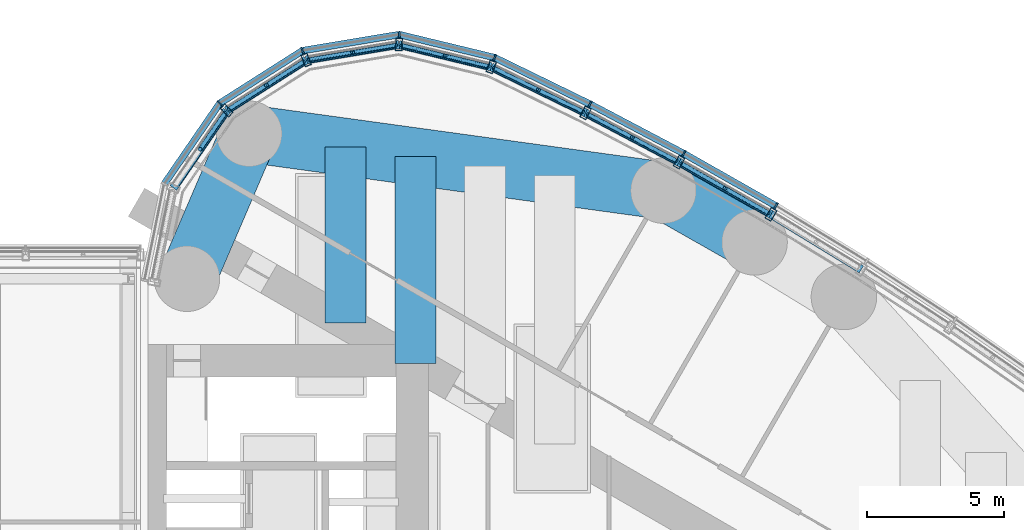
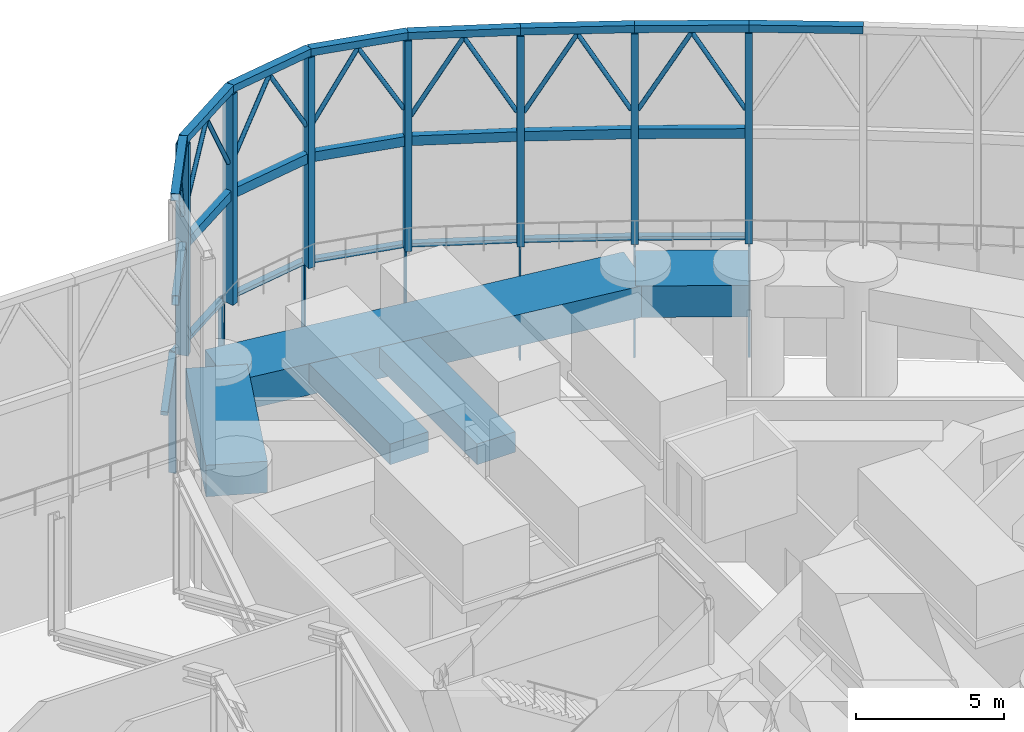
# One storey, part 20 of 33: 49 members, 5 beams, 2 elements without a shape of their own.
"""IFC4 building model written with IfcOpenShell, lengths in metres."""

from ifc_helpers import new_model, si_unit, direction, frame, origin, origin_2d, place, context, subcontext, project, spatial, rectangle, hollow_rectangle, hollow_circle, extrude, material, material_profile, profile_set, type_object, element, aggregate, save


model = new_model("IFC4")

# Units and contexts
model_context = context("Model", 3, precision=1e-05, world=origin(), true_north=direction((0.0, 1.0)))
body_context = subcontext(model_context, "Body", "Model", "MODEL_VIEW")
ifc_project = project(units=[si_unit("LENGTHUNIT", "METRE"), si_unit("AREAUNIT", "SQUARE_METRE"), si_unit("VOLUMEUNIT", "CUBIC_METRE"), si_unit("PLANEANGLEUNIT", "RADIAN"), si_unit("MASSUNIT", "GRAM", prefix="KILO")], contexts=[model_context])

# Site, building, storey
site_placement = place(None, origin())
site = spatial("IfcSite", under=ifc_project, at=site_placement, CompositionType="ELEMENT")
building_placement = place(site_placement, origin())
building = spatial("IfcBuilding", under=site, at=building_placement, Name="Lancet Gate Hotel", CompositionType="ELEMENT")
storey_placement = place(building_placement, frame((0.0, 0.0, 268.300048828125)))
storey = spatial("IfcBuildingStorey", under=building, at=storey_placement, Name="L70", CompositionType="ELEMENT", Elevation=268.300048828125)

# Curtain wall, members
ifc_material_1 = material(Name="Aluminium curtain wall", Category="aluminium")
curtain_wall_type_1 = type_object("IfcCurtainWallType", Name="Lantern crown glazing", PredefinedType="USERDEFINED", material=ifc_material_1)
curtain_wall_1_placement = place(storey_placement, origin())
curtain_wall_1 = element("IfcCurtainWall", 1, at=curtain_wall_1_placement, inside=storey, type_object=curtain_wall_type_1, Name="T2 L70 curtain wall 1", ObjectType="LANTERN GLAZING", PredefinedType="USERDEFINED")
ifc_material_2 = material(Name="Aluminium mullion", Category="aluminium")
ifc_material_profile_1 = material_profile(ifc_material_2, rectangle(XDim=0.06494140625, YDim=0.25, at=origin_2d()), Name="MULLION 65x250")
ifc_profile_set_1 = profile_set([ifc_material_profile_1], Name="Aluminium mullion")
member_type_1 = type_object("IfcMemberType", Name="Aluminium mullion 65x250", PredefinedType="MULLION", material=ifc_profile_set_1)
member_1_placement = place(storey_placement, frame((50.62060546875, 13.667236328125, 0.0), z_axis=(0.0, 0.0, 1.0), x_axis=(-0.861691755738, 0.507432082247, 0.0)))
member_1 = element("IfcMember", 2, at=member_1_placement, type_object=member_type_1, Name="T2 L70 curtain wall 1 mullion 19", PredefinedType="MULLION", context=body_context, shape_type="SweptSolid", body=[
    extrude(rectangle(XDim=0.06494140625, YDim=0.25, at=origin_2d()), origin(), (0.0, 0.0, 1.0), 5.0),
])
member_2_placement = place(storey_placement, frame((47.24365234375, 15.585205078125, 0.0), z_axis=(0.0, 0.0, 1.0), x_axis=(-0.877194589488, 0.480135035352, 0.0)))
member_2 = element("IfcMember", 3, at=member_2_placement, type_object=member_type_1, Name="T2 L70 curtain wall 1 mullion 20", PredefinedType="MULLION", context=body_context, shape_type="SweptSolid", body=[
    extrude(rectangle(XDim=0.06494140625, YDim=0.25, at=origin_2d()), origin(), (0.0, 0.0, 1.0), 5.0),
])
member_3_placement = place(storey_placement, frame((43.80810546875, 17.396240234375, 0.0), z_axis=(0.0, 0.0, 1.0), x_axis=(-0.891832977257, 0.452364831389, 0.0)))
member_3 = element("IfcMember", 4, at=member_3_placement, type_object=member_type_1, Name="T2 L70 curtain wall 1 mullion 21", PredefinedType="MULLION", context=body_context, shape_type="SweptSolid", body=[
    extrude(rectangle(XDim=0.06494140625, YDim=0.25, at=origin_2d()), origin(), (0.0, 0.0, 1.0), 5.0),
])
member_4_placement = place(storey_placement, frame((40.3173828125, 19.098388671875, 0.0), z_axis=(0.0, 0.0, 1.0), x_axis=(-0.939483740419, 0.342593493061, 0.0)))
member_4 = element("IfcMember", 5, at=member_4_placement, type_object=member_type_1, Name="T2 L70 curtain wall 1 mullion 22", PredefinedType="MULLION", context=body_context, shape_type="SweptSolid", body=[
    extrude(rectangle(XDim=0.06494140625, YDim=0.25, at=origin_2d()), origin(), (0.0, 0.0, 1.0), 5.0),
])
member_5_placement = place(storey_placement, frame((36.826171875, 19.942138671875, 0.0), z_axis=(0.0, 0.0, 1.0), x_axis=(-0.999342744911, 0.03625021647, 0.0)))
member_5 = element("IfcMember", 6, at=member_5_placement, type_object=member_type_1, Name="T2 L70 curtain wall 1 mullion 23", PredefinedType="MULLION", context=body_context, shape_type="SweptSolid", body=[
    extrude(rectangle(XDim=0.06494140625, YDim=0.25, at=origin_2d()), origin(), (0.0, 0.0, 1.0), 5.0),
])
member_6_placement = place(storey_placement, frame((33.283203125, 19.353515625, 0.0), z_axis=(0.0, 0.0, 1.0), x_axis=(-0.93394321776, -0.357421412343, 0.0)))
member_6 = element("IfcMember", 7, at=member_6_placement, type_object=member_type_1, Name="T2 L70 curtain wall 1 mullion 24", PredefinedType="MULLION", context=body_context, shape_type="SweptSolid", body=[
    extrude(rectangle(XDim=0.06494140625, YDim=0.25, at=origin_2d()), origin(), (0.0, 0.0, 1.0), 5.0),
])
member_7_placement = place(storey_placement, frame((30.25244140625, 17.42626953125, 0.0), z_axis=(0.0, 0.0, 1.0), x_axis=(-0.719809077627, -0.694172090886, 0.0)))
member_7 = element("IfcMember", 8, at=member_7_placement, type_object=member_type_1, Name="T2 L70 curtain wall 1 mullion 25", PredefinedType="MULLION", context=body_context, shape_type="SweptSolid", body=[
    extrude(rectangle(XDim=0.06494140625, YDim=0.25, at=origin_2d()), origin(), (0.0, 0.0, 1.0), 5.0),
])
ifc_material_3 = material(Name="Aluminium transom", Category="aluminium")
ifc_material_profile_2 = material_profile(ifc_material_3, rectangle(XDim=0.25, YDim=0.14990234375, at=origin_2d()), Name="TRANSOM 250x150")
ifc_profile_set_2 = profile_set([ifc_material_profile_2], Name="Aluminium transom")
member_type_2 = type_object("IfcMemberType", Name="Aluminium transom 250x150", PredefinedType="USERDEFINED", material=ifc_profile_set_2)
member_8_placement = place(storey_placement, frame((50.59228515625, 13.683349609375, 4.925048828125), z_axis=(-0.869562011924, 0.493823761496, 0.0), x_axis=(-0.493823761496, -0.869562011924, 0.0)))
member_8 = element("IfcMember", 9, at=member_8_placement, type_object=member_type_2, Name="T2 L70 curtain wall 1 transom 19", ObjectType="TRANSOM", PredefinedType="USERDEFINED", context=body_context, shape_type="SweptSolid", body=[
    extrude(rectangle(XDim=0.25, YDim=0.14990234375, at=origin_2d()), origin(), (0.0, 0.0, 1.0), 3.818603515625),
])
member_9_placement = place(storey_placement, frame((47.21484375, 15.600341796875, 4.925048828125), z_axis=(-0.884618491031, 0.466315478325, 0.0), x_axis=(-0.466315478325, -0.884618491031, 0.0)))
member_9 = element("IfcMember", 10, at=member_9_placement, type_object=member_type_2, Name="T2 L70 curtain wall 1 transom 20", ObjectType="TRANSOM", PredefinedType="USERDEFINED", context=body_context, shape_type="SweptSolid", body=[
    extrude(rectangle(XDim=0.25, YDim=0.14990234375, at=origin_2d()), origin(), (0.0, 0.0, 1.0), 3.81884765625),
])
member_10_placement = place(storey_placement, frame((43.77880859375, 17.410400390625, 4.925048828125), z_axis=(-0.898820051991, 0.438317823206, 0.0), x_axis=(-0.438317823206, -0.898820051991, 0.0)))
member_10 = element("IfcMember", 11, at=member_10_placement, type_object=member_type_2, Name="T2 L70 curtain wall 1 transom 21", ObjectType="TRANSOM", PredefinedType="USERDEFINED", context=body_context, shape_type="SweptSolid", body=[
    extrude(rectangle(XDim=0.25, YDim=0.14990234375, at=origin_2d()), origin(), (0.0, 0.0, 1.0), 3.81884765625),
])
member_11_placement = place(storey_placement, frame((40.28564453125, 19.10595703125, 4.925048828125), z_axis=(-0.972002653858, 0.234969872307, 0.0), x_axis=(-0.234969872307, -0.972002653858, 0.0)))
member_11 = element("IfcMember", 12, at=member_11_placement, type_object=member_type_2, Name="T2 L70 curtain wall 1 transom 22", ObjectType="TRANSOM", PredefinedType="USERDEFINED", context=body_context, shape_type="SweptSolid", body=[
    extrude(rectangle(XDim=0.25, YDim=0.14990234375, at=origin_2d()), origin(), (0.0, 0.0, 1.0), 3.5263671875),
])
member_12_placement = place(storey_placement, frame((36.794189453125, 19.936767578125, 4.925048828125), z_axis=(-0.986483584545, -0.163860115412, 0.0), x_axis=(0.163860115412, -0.986483584545, 0.0)))
member_12 = element("IfcMember", 13, at=member_12_placement, type_object=member_type_2, Name="T2 L70 curtain wall 1 transom 23", ObjectType="TRANSOM", PredefinedType="USERDEFINED", context=body_context, shape_type="SweptSolid", body=[
    extrude(rectangle(XDim=0.25, YDim=0.14990234375, at=origin_2d()), origin(), (0.0, 0.0, 1.0), 3.526611328125),
])
member_13_placement = place(storey_placement, frame((33.255859375, 19.336181640625, 4.925048828125), z_axis=(-0.84385811281, -0.536566384938, 0.0), x_axis=(0.536566384938, -0.84385811281, 0.0)))
member_13 = element("IfcMember", 14, at=member_13_placement, type_object=member_type_2, Name="T2 L70 curtain wall 1 transom 24", ObjectType="TRANSOM", PredefinedType="USERDEFINED", context=body_context, shape_type="SweptSolid", body=[
    extrude(rectangle(XDim=0.25, YDim=0.14990234375, at=origin_2d()), origin(), (0.0, 0.0, 1.0), 3.52685546875),
])
member_14_placement = place(storey_placement, frame((30.234130859375, 17.399658203125, 4.925048828125), z_axis=(-0.566813768052, -0.82384595183, 0.0), x_axis=(0.82384595183, -0.566813768052, 0.0)))
member_14 = element("IfcMember", 15, at=member_14_placement, type_object=member_type_2, Name="T2 L70 curtain wall 1 transom 25", ObjectType="TRANSOM", PredefinedType="USERDEFINED", context=body_context, shape_type="SweptSolid", body=[
    extrude(rectangle(XDim=0.25, YDim=0.14990234375, at=origin_2d()), origin(), (0.0, 0.0, 1.0), 3.52685546875),
])
aggregate(curtain_wall_1, [member_1, member_2, member_3, member_4, member_5, member_6, member_7, member_8, member_9, member_10, member_11, member_12, member_13, member_14])

# Beams
ifc_material_4 = material(Name="Concrete C50/60", Category="concrete")
ifc_material_profile_3 = material_profile(ifc_material_4, rectangle(XDim=2.10009765625, YDim=1.300048828125, at=origin_2d()), Name="RC 2100x1300")
ifc_profile_set_3 = profile_set([ifc_material_profile_3], Name="Concrete C50/60")
beam_type_1 = type_object("IfcBeamType", Name="Edge beam RC 2100x1300", PredefinedType="SPANDREL", material=ifc_profile_set_3)
beam_1_placement = place(storey_placement, frame((49.833984375, 12.331787109375, 4.050048828125), z_axis=(-0.869560321562, 0.493826738001, 0.0), x_axis=(-0.493826738001, -0.869560321562, 0.0)))
element("IfcBeam", 16, at=beam_1_placement, inside=storey, type_object=beam_type_1, Name="T2 edge beam EB1 L70", PredefinedType="SPANDREL", context=body_context, shape_type="SweptSolid", body=[
    extrude(rectangle(XDim=2.10009765625, YDim=1.300048828125, at=origin_2d()), origin(), (0.0, 0.0, 1.0), 3.8349609375),
])
beam_2_placement = place(storey_placement, frame((46.499267578125, 14.2255859375, 4.050048828125), z_axis=(-0.990685830783, 0.13616748762, 0.0), x_axis=(-0.13616748762, -0.990685830783, 0.0)))
element("IfcBeam", 17, at=beam_2_placement, inside=storey, type_object=beam_type_1, Name="T2 edge beam EB1 L70", PredefinedType="SPANDREL", context=body_context, shape_type="SweptSolid", body=[
    extrude(rectangle(XDim=2.10009765625, YDim=1.300048828125, at=origin_2d()), origin(), (0.0, 0.0, 1.0), 15.3134765625),
])
beam_3_placement = place(storey_placement, frame((29.050048828125, 11.0, 4.050048828125), z_axis=(0.394250694824, 0.91900293233, 0.0), x_axis=(-0.91900293233, 0.394250694824, 0.0)))
element("IfcBeam", 18, at=beam_3_placement, inside=storey, type_object=beam_type_1, Name="T2 edge beam EB1 L70", PredefinedType="SPANDREL", context=body_context, shape_type="SweptSolid", body=[
    extrude(rectangle(XDim=2.10009765625, YDim=1.300048828125, at=origin_2d()), origin(), (0.0, 0.0, 1.0), 5.77880859375),
])
ifc_material_5 = material(Name="Concrete C50/60", Category="concrete")
ifc_material_profile_4 = material_profile(ifc_material_5, rectangle(XDim=1.5, YDim=0.85009765625, at=origin_2d()), Name="RC 1500x850")
ifc_profile_set_4 = profile_set([ifc_material_profile_4], Name="Concrete C50/60")
beam_type_2 = type_object("IfcBeamType", Name="Floor beam RC 1500x850", PredefinedType="BEAM", material=ifc_profile_set_4)
beam_4_placement = place(storey_placement, frame((34.859619140625, 9.377685546875, 4.27490234375), z_axis=(0.0, 1.0, 0.0), x_axis=(-1.0, 0.0, 0.0)))
element("IfcBeam", 19, at=beam_4_placement, inside=storey, type_object=beam_type_2, Name="T2 floor beam F02N L70", PredefinedType="BEAM", context=body_context, shape_type="SweptSolid", body=[
    extrude(rectangle(XDim=1.5, YDim=0.85009765625, at=origin_2d()), origin(), (0.0, 0.0, 1.0), 6.44775390625),
])
beam_5_placement = place(storey_placement, frame((37.412841796875, 7.903564453125, 4.27490234375), z_axis=(0.0, 1.0, 0.0), x_axis=(-1.0, 0.0, 0.0)))
element("IfcBeam", 20, at=beam_5_placement, inside=storey, type_object=beam_type_2, Name="T2 floor beam F04N L70", PredefinedType="BEAM", context=body_context, shape_type="SweptSolid", body=[
    extrude(rectangle(XDim=1.5, YDim=0.85009765625, at=origin_2d()), origin(), (0.0, 0.0, 1.0), 7.57080078125),
])

# Curtain wall, members
ifc_material_6 = material(Name="Steel framed lantern screen", Category="steel")
curtain_wall_type_2 = type_object("IfcCurtainWallType", Name="Lantern screen", PredefinedType="USERDEFINED", material=ifc_material_6)
curtain_wall_2_placement = place(storey_placement, origin())
curtain_wall_2 = element("IfcCurtainWall", 21, at=curtain_wall_2_placement, inside=storey, type_object=curtain_wall_type_2, Name="T2 lantern screen 1", ObjectType="LANTERN SCREEN", PredefinedType="USERDEFINED")
ifc_material_7 = material(Name="Steel S355", Category="steel")
ifc_material_profile_5 = material_profile(ifc_material_7, hollow_rectangle(XDim=0.300048828125, YDim=0.300048828125, WallThickness=0.012451171875, at=origin_2d()), Name="RHS 300x300x12.5")
ifc_profile_set_5 = profile_set([ifc_material_profile_5], Name="Steel S355")
member_type_3 = type_object("IfcMemberType", Name="Lantern cap beam RHS 300x300x12.5", PredefinedType="USERDEFINED", material=ifc_profile_set_5)
member_15_placement = place(storey_placement, frame((53.743408203125, 11.340087890625, 13.849853515625), z_axis=(-0.853630728154, 0.520878661448, 0.0), x_axis=(-0.520878661448, -0.853630728154, 0.0)))
member_15 = element("IfcMember", 22, at=member_15_placement, type_object=member_type_3, Name="T2 lantern screen 1 cap 18", ObjectType="LANTERN FRAME", PredefinedType="USERDEFINED", context=body_context, shape_type="SweptSolid", body=[
    extrude(hollow_rectangle(XDim=0.300048828125, YDim=0.300048828125, WallThickness=0.012451171875, at=origin_2d()), origin(), (0.0, 0.0, 1.0), 3.87255859375),
])
member_16_placement = place(storey_placement, frame((50.437744140625, 13.357177734375, 13.849853515625), z_axis=(-0.869559328452, 0.493828486726, 0.0), x_axis=(-0.493828486726, -0.869559328452, 0.0)))
member_16 = element("IfcMember", 23, at=member_16_placement, type_object=member_type_3, Name="T2 lantern screen 1 cap 19", ObjectType="LANTERN FRAME", PredefinedType="USERDEFINED", context=body_context, shape_type="SweptSolid", body=[
    extrude(hollow_rectangle(XDim=0.300048828125, YDim=0.300048828125, WallThickness=0.012451171875, at=origin_2d()), origin(), (0.0, 0.0, 1.0), 3.8720703125),
])
member_17_placement = place(storey_placement, frame((47.07080078125, 15.269287109375, 13.849853515625), z_axis=(-0.884599365953, 0.466351757534, 0.0), x_axis=(-0.466351757534, -0.884599365953, 0.0)))
member_17 = element("IfcMember", 24, at=member_17_placement, type_object=member_type_3, Name="T2 lantern screen 1 cap 20", ObjectType="LANTERN FRAME", PredefinedType="USERDEFINED", context=body_context, shape_type="SweptSolid", body=[
    extrude(hollow_rectangle(XDim=0.300048828125, YDim=0.300048828125, WallThickness=0.012451171875, at=origin_2d()), origin(), (0.0, 0.0, 1.0), 3.872314453125),
])
member_18_placement = place(storey_placement, frame((43.645263671875, 17.0751953125, 13.849853515625), z_axis=(-0.898822226216, 0.438313364684, 0.0), x_axis=(-0.438313364684, -0.898822226216, 0.0)))
member_18 = element("IfcMember", 25, at=member_18_placement, type_object=member_type_3, Name="T2 lantern screen 1 cap 21", ObjectType="LANTERN FRAME", PredefinedType="USERDEFINED", context=body_context, shape_type="SweptSolid", body=[
    extrude(hollow_rectangle(XDim=0.300048828125, YDim=0.300048828125, WallThickness=0.012451171875, at=origin_2d()), origin(), (0.0, 0.0, 1.0), 3.8388671875),
])
member_19_placement = place(storey_placement, frame((40.19482421875, 18.7578125, 13.849853515625), z_axis=(-0.97202754239, 0.23486689174, 0.0), x_axis=(-0.23486689174, -0.97202754239, 0.0)))
member_19 = element("IfcMember", 26, at=member_19_placement, type_object=member_type_3, Name="T2 lantern screen 1 cap 22", ObjectType="LANTERN FRAME", PredefinedType="USERDEFINED", context=body_context, shape_type="SweptSolid", body=[
    extrude(hollow_rectangle(XDim=0.300048828125, YDim=0.300048828125, WallThickness=0.012451171875, at=origin_2d()), origin(), (0.0, 0.0, 1.0), 3.479248046875),
])
member_20_placement = place(storey_placement, frame((36.81298828125, 19.574951171875, 13.849853515625), z_axis=(-0.986485706748, -0.163847338649, 0.0), x_axis=(0.163847338649, -0.986485706748, 0.0)))
member_20 = element("IfcMember", 27, at=member_20_placement, type_object=member_type_3, Name="T2 lantern screen 1 cap 23", ObjectType="LANTERN FRAME", PredefinedType="USERDEFINED", context=body_context, shape_type="SweptSolid", body=[
    extrude(hollow_rectangle(XDim=0.300048828125, YDim=0.300048828125, WallThickness=0.012451171875, at=origin_2d()), origin(), (0.0, 0.0, 1.0), 3.445068359375),
])
member_21_placement = place(storey_placement, frame((33.41455078125, 19.010498046875, 13.849853515625), z_axis=(-0.843827779101, -0.536614087793, 0.0), x_axis=(0.536614087793, -0.843827779101, 0.0)))
member_21 = element("IfcMember", 28, at=member_21_placement, type_object=member_type_3, Name="T2 lantern screen 1 cap 24", ObjectType="LANTERN FRAME", PredefinedType="USERDEFINED", context=body_context, shape_type="SweptSolid", body=[
    extrude(hollow_rectangle(XDim=0.300048828125, YDim=0.300048828125, WallThickness=0.012451171875, at=origin_2d()), origin(), (0.0, 0.0, 1.0), 3.445068359375),
])
member_22_placement = place(storey_placement, frame((30.507568359375, 17.161865234375, 13.849853515625), z_axis=(-0.566856603489, -0.823816479005, 0.0), x_axis=(0.823816479005, -0.566856603489, 0.0)))
member_22 = element("IfcMember", 29, at=member_22_placement, type_object=member_type_3, Name="T2 lantern screen 1 cap 25", ObjectType="LANTERN FRAME", PredefinedType="USERDEFINED", context=body_context, shape_type="SweptSolid", body=[
    extrude(hollow_rectangle(XDim=0.300048828125, YDim=0.300048828125, WallThickness=0.012451171875, at=origin_2d()), origin(), (0.0, 0.0, 1.0), 3.445068359375),
])
ifc_material_8 = material(Name="Steel S355", Category="steel")
ifc_material_profile_6 = material_profile(ifc_material_8, hollow_rectangle(XDim=0.25, YDim=0.449951171875, WallThickness=0.01611328125, at=origin_2d()), Name="RHS 450x250x16")
ifc_profile_set_6 = profile_set([ifc_material_profile_6], Name="Steel S355")
member_type_4 = type_object("IfcMemberType", Name="Lantern frame post RHS 450x250x16", PredefinedType="USERDEFINED", material=ifc_profile_set_6)
member_23_placement = place(storey_placement, frame((50.437744140625, 13.357177734375, 5.0), z_axis=(0.0, 0.0, 1.0), x_axis=(-0.861691755738, 0.507432082247, 0.0)))
member_23 = element("IfcMember", 30, at=member_23_placement, type_object=member_type_4, Name="T2 lantern screen 1 frame post 19", ObjectType="LANTERN FRAME", PredefinedType="USERDEFINED", context=body_context, shape_type="SweptSolid", body=[
    extrude(hollow_rectangle(XDim=0.25, YDim=0.449951171875, WallThickness=0.01611328125, at=origin_2d()), origin(), (0.0, 0.0, 1.0), 8.699951171875),
])
member_24_placement = place(storey_placement, frame((47.07080078125, 15.269287109375, 5.0), z_axis=(0.0, 0.0, 1.0), x_axis=(-0.877194589488, 0.480135035352, 0.0)))
member_24 = element("IfcMember", 31, at=member_24_placement, type_object=member_type_4, Name="T2 lantern screen 1 frame post 20", ObjectType="LANTERN FRAME", PredefinedType="USERDEFINED", context=body_context, shape_type="SweptSolid", body=[
    extrude(hollow_rectangle(XDim=0.25, YDim=0.449951171875, WallThickness=0.01611328125, at=origin_2d()), origin(), (0.0, 0.0, 1.0), 8.699951171875),
])
member_25_placement = place(storey_placement, frame((43.645263671875, 17.0751953125, 5.0), z_axis=(0.0, 0.0, 1.0), x_axis=(-0.891832977257, 0.452364831389, 0.0)))
member_25 = element("IfcMember", 32, at=member_25_placement, type_object=member_type_4, Name="T2 lantern screen 1 frame post 21", ObjectType="LANTERN FRAME", PredefinedType="USERDEFINED", context=body_context, shape_type="SweptSolid", body=[
    extrude(hollow_rectangle(XDim=0.25, YDim=0.449951171875, WallThickness=0.01611328125, at=origin_2d()), origin(), (0.0, 0.0, 1.0), 8.699951171875),
])
member_26_placement = place(storey_placement, frame((40.19482421875, 18.7578125, 5.0), z_axis=(0.0, 0.0, 1.0), x_axis=(-0.940930200155, 0.338600588357, 0.0)))
member_26 = element("IfcMember", 33, at=member_26_placement, type_object=member_type_4, Name="T2 lantern screen 1 frame post 22", ObjectType="LANTERN FRAME", PredefinedType="USERDEFINED", context=body_context, shape_type="SweptSolid", body=[
    extrude(hollow_rectangle(XDim=0.25, YDim=0.449951171875, WallThickness=0.01611328125, at=origin_2d()), origin(), (0.0, 0.0, 1.0), 8.699951171875),
])
member_27_placement = place(storey_placement, frame((36.81298828125, 19.574951171875, 5.0), z_axis=(0.0, 0.0, 1.0), x_axis=(-0.999342744911, 0.03625021647, 0.0)))
member_27 = element("IfcMember", 34, at=member_27_placement, type_object=member_type_4, Name="T2 lantern screen 1 frame post 23", ObjectType="LANTERN FRAME", PredefinedType="USERDEFINED", context=body_context, shape_type="SweptSolid", body=[
    extrude(hollow_rectangle(XDim=0.25, YDim=0.449951171875, WallThickness=0.01611328125, at=origin_2d()), origin(), (0.0, 0.0, 1.0), 8.699951171875),
])
member_28_placement = place(storey_placement, frame((33.41455078125, 19.010498046875, 5.0), z_axis=(0.0, 0.0, 1.0), x_axis=(-0.93394321776, -0.357421412343, 0.0)))
member_28 = element("IfcMember", 35, at=member_28_placement, type_object=member_type_4, Name="T2 lantern screen 1 frame post 24", ObjectType="LANTERN FRAME", PredefinedType="USERDEFINED", context=body_context, shape_type="SweptSolid", body=[
    extrude(hollow_rectangle(XDim=0.25, YDim=0.449951171875, WallThickness=0.01611328125, at=origin_2d()), origin(), (0.0, 0.0, 1.0), 8.699951171875),
])
member_29_placement = place(storey_placement, frame((30.507568359375, 17.161865234375, 5.0), z_axis=(0.0, 0.0, 1.0), x_axis=(-0.719809077627, -0.694172090886, 0.0)))
member_29 = element("IfcMember", 36, at=member_29_placement, type_object=member_type_4, Name="T2 lantern screen 1 frame post 25", ObjectType="LANTERN FRAME", PredefinedType="USERDEFINED", context=body_context, shape_type="SweptSolid", body=[
    extrude(hollow_rectangle(XDim=0.25, YDim=0.449951171875, WallThickness=0.01611328125, at=origin_2d()), origin(), (0.0, 0.0, 1.0), 8.699951171875),
])
ifc_material_9 = material(Name="Steel S355", Category="steel")
ifc_material_profile_7 = material_profile(ifc_material_9, hollow_circle(Radius=0.084228515625, WallThickness=0.008056640625, at=origin_2d()), Name="CHS 168.3x8.0")
ifc_profile_set_7 = profile_set([ifc_material_profile_7], Name="Steel S355")
member_type_5 = type_object("IfcMemberType", Name="Lantern lancet head CHS 168.3x8", PredefinedType="USERDEFINED", material=ifc_profile_set_7)
member_30_placement = place(storey_placement, frame((50.3291015625, 13.418701171875, 10.43994140625), z_axis=(-0.430732427541, 0.244682730932, 0.868677118985), x_axis=(-0.493930658852, -0.869501296288, 0.0)))
member_30 = element("IfcMember", 37, at=member_30_placement, type_object=member_type_5, Name="T2 lantern screen 1 lancet head 19A", ObjectType="LANTERN FRAME", PredefinedType="USERDEFINED", context=body_context, shape_type="SweptSolid", body=[
    extrude(hollow_circle(Radius=0.084228515625, WallThickness=0.008056640625, at=origin_2d()), origin(), (0.0, 0.0, 1.0), 3.65576171875),
])
member_31_placement = place(storey_placement, frame((47.179443359375, 15.207763671875, 10.43994140625), z_axis=(0.430786815653, -0.244675692536, 0.868652131144), x_axis=(0.493872768786, 0.869534178886, 0.0)))
member_31 = element("IfcMember", 38, at=member_31_placement, type_object=member_type_5, Name="T2 lantern screen 1 lancet head 19B", ObjectType="LANTERN FRAME", PredefinedType="USERDEFINED", context=body_context, shape_type="SweptSolid", body=[
    extrude(hollow_circle(Radius=0.084228515625, WallThickness=0.008056640625, at=origin_2d()), origin(), (0.0, 0.0, 1.0), 3.656005859375),
])
member_32_placement = place(storey_placement, frame((46.960205078125, 15.32763671875, 10.43994140625), z_axis=(-0.438261810803, 0.231050718479, 0.868643857218), x_axis=(-0.466357387794, -0.884596397715, 0.0)))
member_32 = element("IfcMember", 39, at=member_32_placement, type_object=member_type_5, Name="T2 lantern screen 1 lancet head 20A", ObjectType="LANTERN FRAME", PredefinedType="USERDEFINED", context=body_context, shape_type="SweptSolid", body=[
    extrude(hollow_circle(Radius=0.084228515625, WallThickness=0.008056640625, at=origin_2d()), origin(), (0.0, 0.0, 1.0), 3.656005859375),
])
member_33_placement = place(storey_placement, frame((43.755615234375, 17.016845703125, 10.43994140625), z_axis=(0.438268571935, -0.23098750424, 0.868657257921), x_axis=(0.466251906842, 0.884651999018, 0.0)))
member_33 = element("IfcMember", 40, at=member_33_placement, type_object=member_type_5, Name="T2 lantern screen 1 lancet head 20B", ObjectType="LANTERN FRAME", PredefinedType="USERDEFINED", context=body_context, shape_type="SweptSolid", body=[
    extrude(hollow_circle(Radius=0.084228515625, WallThickness=0.008056640625, at=origin_2d()), origin(), (0.0, 0.0, 1.0), 3.656005859375),
])
member_34_placement = place(storey_placement, frame((43.53271484375, 17.1298828125, 10.469970703125), z_axis=(-0.445332156219, 0.217205602079, 0.868620168464), x_axis=(-0.438375380547, -0.898791981345, 0.0)))
member_34 = element("IfcMember", 41, at=member_34_placement, type_object=member_type_5, Name="T2 lantern screen 1 lancet head 21A", ObjectType="LANTERN FRAME", PredefinedType="USERDEFINED", context=body_context, shape_type="SweptSolid", body=[
    extrude(hollow_circle(Radius=0.084228515625, WallThickness=0.008056640625, at=origin_2d()), origin(), (0.0, 0.0, 1.0), 3.62158203125),
])
member_35_placement = place(storey_placement, frame((40.30712890625, 18.702880859375, 10.469970703125), z_axis=(0.445338676145, -0.217141367827, 0.868632885578), x_axis=(0.438265460261, 0.898845585372, 0.0)))
member_35 = element("IfcMember", 42, at=member_35_placement, type_object=member_type_5, Name="T2 lantern screen 1 lancet head 21B", ObjectType="LANTERN FRAME", PredefinedType="USERDEFINED", context=body_context, shape_type="SweptSolid", body=[
    extrude(hollow_circle(Radius=0.084228515625, WallThickness=0.008056640625, at=origin_2d()), origin(), (0.0, 0.0, 1.0), 3.62158203125),
])
member_36_placement = place(storey_placement, frame((40.0732421875, 18.787109375, 10.793701171875), z_axis=(-0.48269267816, 0.116618190601, 0.867990769578), x_axis=(-0.234842549345, -0.972033423817, 0.0)))
member_36 = element("IfcMember", 43, at=member_36_placement, type_object=member_type_5, Name="T2 lantern screen 1 lancet head 22A", ObjectType="LANTERN FRAME", PredefinedType="USERDEFINED", context=body_context, shape_type="SweptSolid", body=[
    extrude(hollow_circle(Radius=0.084228515625, WallThickness=0.008056640625, at=origin_2d()), origin(), (0.0, 0.0, 1.0), 3.251220703125),
])
member_37_placement = place(storey_placement, frame((36.934326171875, 19.545654296875, 10.793701171875), z_axis=(0.482746042832, -0.116688030885, 0.867951704635), x_axis=(0.234950887485, 0.972007243013, 0.0)))
member_37 = element("IfcMember", 44, at=member_37_placement, type_object=member_type_5, Name="T2 lantern screen 1 lancet head 22B", ObjectType="LANTERN FRAME", PredefinedType="USERDEFINED", context=body_context, shape_type="SweptSolid", body=[
    extrude(hollow_circle(Radius=0.084228515625, WallThickness=0.008056640625, at=origin_2d()), origin(), (0.0, 0.0, 1.0), 3.25146484375),
])
member_38_placement = place(storey_placement, frame((36.689697265625, 19.554443359375, 10.824462890625), z_axis=(-0.490014962277, -0.081378162597, 0.867907213588), x_axis=(0.163828961956, -0.986488758793, 0.0)))
member_38 = element("IfcMember", 45, at=member_38_placement, type_object=member_type_5, Name="T2 lantern screen 1 lancet head 23A", ObjectType="LANTERN FRAME", PredefinedType="USERDEFINED", context=body_context, shape_type="SweptSolid", body=[
    extrude(hollow_circle(Radius=0.084228515625, WallThickness=0.008056640625, at=origin_2d()), origin(), (0.0, 0.0, 1.0), 3.216064453125),
])
member_39_placement = place(storey_placement, frame((33.537841796875, 19.031005859375, 10.824462890625), z_axis=(0.490014962277, 0.081378162597, 0.867907213588), x_axis=(-0.163828961956, 0.986488758793, 0.0)))
member_39 = element("IfcMember", 46, at=member_39_placement, type_object=member_type_5, Name="T2 lantern screen 1 lancet head 23B", ObjectType="LANTERN FRAME", PredefinedType="USERDEFINED", context=body_context, shape_type="SweptSolid", body=[
    extrude(hollow_circle(Radius=0.084228515625, WallThickness=0.008056640625, at=origin_2d()), origin(), (0.0, 0.0, 1.0), 3.216064453125),
])
member_40_placement = place(storey_placement, frame((33.30908203125, 18.943359375, 10.824462890625), z_axis=(-0.419184530601, -0.266526057034, 0.867898721181), x_axis=(0.536549137532, -0.843869079309, 0.0)))
member_40 = element("IfcMember", 47, at=member_40_placement, type_object=member_type_5, Name="T2 lantern screen 1 lancet head 24A", ObjectType="LANTERN FRAME", PredefinedType="USERDEFINED", context=body_context, shape_type="SweptSolid", body=[
    extrude(hollow_circle(Radius=0.084228515625, WallThickness=0.008056640625, at=origin_2d()), origin(), (0.0, 0.0, 1.0), 3.216064453125),
])
member_41_placement = place(storey_placement, frame((30.613037109375, 17.22900390625, 10.824462890625), z_axis=(0.419121954771, 0.266534537801, 0.86792633742), x_axis=(-0.536618337825, 0.843825076369, 0.0)))
member_41 = element("IfcMember", 48, at=member_41_placement, type_object=member_type_5, Name="T2 lantern screen 1 lancet head 24B", ObjectType="LANTERN FRAME", PredefinedType="USERDEFINED", context=body_context, shape_type="SweptSolid", body=[
    extrude(hollow_circle(Radius=0.084228515625, WallThickness=0.008056640625, at=origin_2d()), origin(), (0.0, 0.0, 1.0), 3.216064453125),
])
member_42_placement = place(storey_placement, frame((30.4365234375, 17.058837890625, 10.824462890625), z_axis=(-0.281495461471, -0.409185689679, 0.867944339536), x_axis=(0.823872412139, -0.566775306904, 0.0)))
member_42 = element("IfcMember", 49, at=member_42_placement, type_object=member_type_5, Name="T2 lantern screen 1 lancet head 25A", ObjectType="LANTERN FRAME", PredefinedType="USERDEFINED", context=body_context, shape_type="SweptSolid", body=[
    extrude(hollow_circle(Radius=0.084228515625, WallThickness=0.008056640625, at=origin_2d()), origin(), (0.0, 0.0, 1.0), 3.216064453125),
])
ifc_material_10 = material(Name="Steel S355", Category="steel")
ifc_material_profile_8 = material_profile(ifc_material_10, hollow_rectangle(XDim=0.25, YDim=0.39990234375, WallThickness=0.012451171875, at=origin_2d()), Name="RHS 400x250x12.5")
ifc_profile_set_8 = profile_set([ifc_material_profile_8], Name="Steel S355")
member_type_6 = type_object("IfcMemberType", Name="Lantern ring beam RHS 400x250x12.5", PredefinedType="USERDEFINED", material=ifc_profile_set_8)
member_43_placement = place(storey_placement, frame((50.3291015625, 13.418701171875, 9.5), z_axis=(-0.869517739032, 0.493901712397, 0.0), x_axis=(-0.493901712397, -0.869517739032, 0.0)))
member_43 = element("IfcMember", 50, at=member_43_placement, type_object=member_type_6, Name="T2 lantern screen 1 ring 19", ObjectType="LANTERN FRAME", PredefinedType="USERDEFINED", context=body_context, shape_type="SweptSolid", body=[
    extrude(hollow_rectangle(XDim=0.25, YDim=0.39990234375, WallThickness=0.012451171875, at=origin_2d()), origin(), (0.0, 0.0, 1.0), 3.622314453125),
])
member_44_placement = place(storey_placement, frame((46.960205078125, 15.32763671875, 9.5), z_axis=(-0.884624199065, 0.466304649804, 0.0), x_axis=(-0.466304649804, -0.884624199065, 0.0)))
member_44 = element("IfcMember", 51, at=member_44_placement, type_object=member_type_6, Name="T2 lantern screen 1 ring 20", ObjectType="LANTERN FRAME", PredefinedType="USERDEFINED", context=body_context, shape_type="SweptSolid", body=[
    extrude(hollow_rectangle(XDim=0.25, YDim=0.39990234375, WallThickness=0.012451171875, at=origin_2d()), origin(), (0.0, 0.0, 1.0), 3.62255859375),
])
member_45_placement = place(storey_placement, frame((43.53271484375, 17.1298828125, 9.5), z_axis=(-0.89881878424, 0.438320422862, 0.0), x_axis=(-0.438320422862, -0.89881878424, 0.0)))
member_45 = element("IfcMember", 52, at=member_45_placement, type_object=member_type_6, Name="T2 lantern screen 1 ring 21", ObjectType="LANTERN FRAME", PredefinedType="USERDEFINED", context=body_context, shape_type="SweptSolid", body=[
    extrude(hollow_rectangle(XDim=0.25, YDim=0.39990234375, WallThickness=0.012451171875, at=origin_2d()), origin(), (0.0, 0.0, 1.0), 3.588623046875),
])
member_46_placement = place(storey_placement, frame((40.0732421875, 18.787109375, 9.5), z_axis=(-0.97202033373, 0.234896723722, 0.0), x_axis=(-0.234896723722, -0.97202033373, 0.0)))
member_46 = element("IfcMember", 53, at=member_46_placement, type_object=member_type_6, Name="T2 lantern screen 1 ring 22", ObjectType="LANTERN FRAME", PredefinedType="USERDEFINED", context=body_context, shape_type="SweptSolid", body=[
    extrude(hollow_rectangle(XDim=0.25, YDim=0.39990234375, WallThickness=0.012451171875, at=origin_2d()), origin(), (0.0, 0.0, 1.0), 3.229248046875),
])
member_47_placement = place(storey_placement, frame((36.689697265625, 19.554443359375, 9.5), z_axis=(-0.986488758793, -0.163828961956, 0.0), x_axis=(0.163828961956, -0.986488758793, 0.0)))
member_47 = element("IfcMember", 54, at=member_47_placement, type_object=member_type_6, Name="T2 lantern screen 1 ring 23", ObjectType="LANTERN FRAME", PredefinedType="USERDEFINED", context=body_context, shape_type="SweptSolid", body=[
    extrude(hollow_rectangle(XDim=0.25, YDim=0.39990234375, WallThickness=0.012451171875, at=origin_2d()), origin(), (0.0, 0.0, 1.0), 3.195068359375),
])
member_48_placement = place(storey_placement, frame((33.30908203125, 18.943359375, 9.5), z_axis=(-0.843847079967, -0.536583735899, 0.0), x_axis=(0.536583735899, -0.843847079967, 0.0)))
member_48 = element("IfcMember", 55, at=member_48_placement, type_object=member_type_6, Name="T2 lantern screen 1 ring 24", ObjectType="LANTERN FRAME", PredefinedType="USERDEFINED", context=body_context, shape_type="SweptSolid", body=[
    extrude(hollow_rectangle(XDim=0.25, YDim=0.39990234375, WallThickness=0.012451171875, at=origin_2d()), origin(), (0.0, 0.0, 1.0), 3.19482421875),
])
member_49_placement = place(storey_placement, frame((30.4365234375, 17.058837890625, 9.5), z_axis=(-0.566791493266, -0.823861276649, 0.0), x_axis=(0.823861276649, -0.566791493266, 0.0)))
member_49 = element("IfcMember", 56, at=member_49_placement, type_object=member_type_6, Name="T2 lantern screen 1 ring 25", ObjectType="LANTERN FRAME", PredefinedType="USERDEFINED", context=body_context, shape_type="SweptSolid", body=[
    extrude(hollow_rectangle(XDim=0.25, YDim=0.39990234375, WallThickness=0.012451171875, at=origin_2d()), origin(), (0.0, 0.0, 1.0), 3.19482421875),
])
aggregate(curtain_wall_2, [member_23, member_24, member_25, member_26, member_27, member_28, member_29, member_15, member_16, member_43, member_30, member_31, member_17, member_44, member_32, member_33, member_18, member_45, member_34, member_35, member_19, member_46, member_36, member_37, member_20, member_47, member_38, member_39, member_21, member_48, member_40, member_41, member_22, member_49, member_42])

save(model, "model.ifc")
